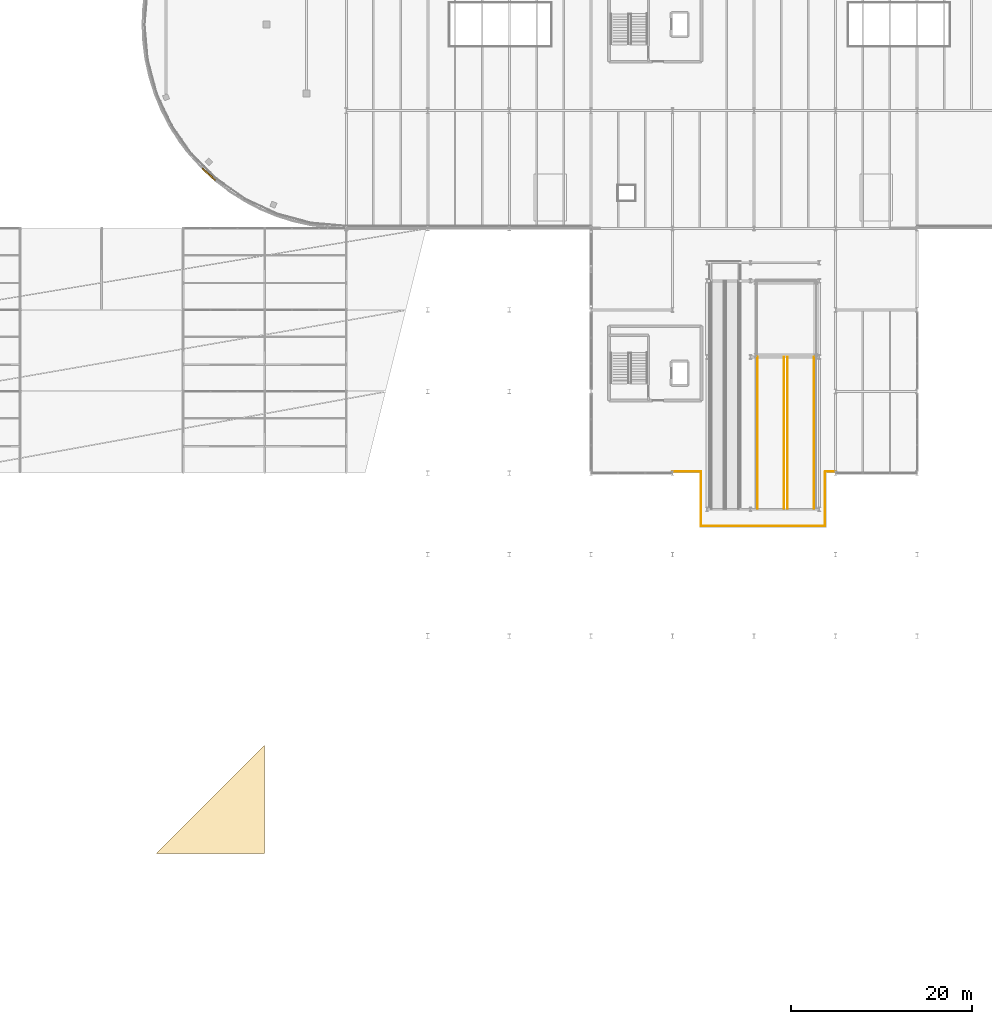
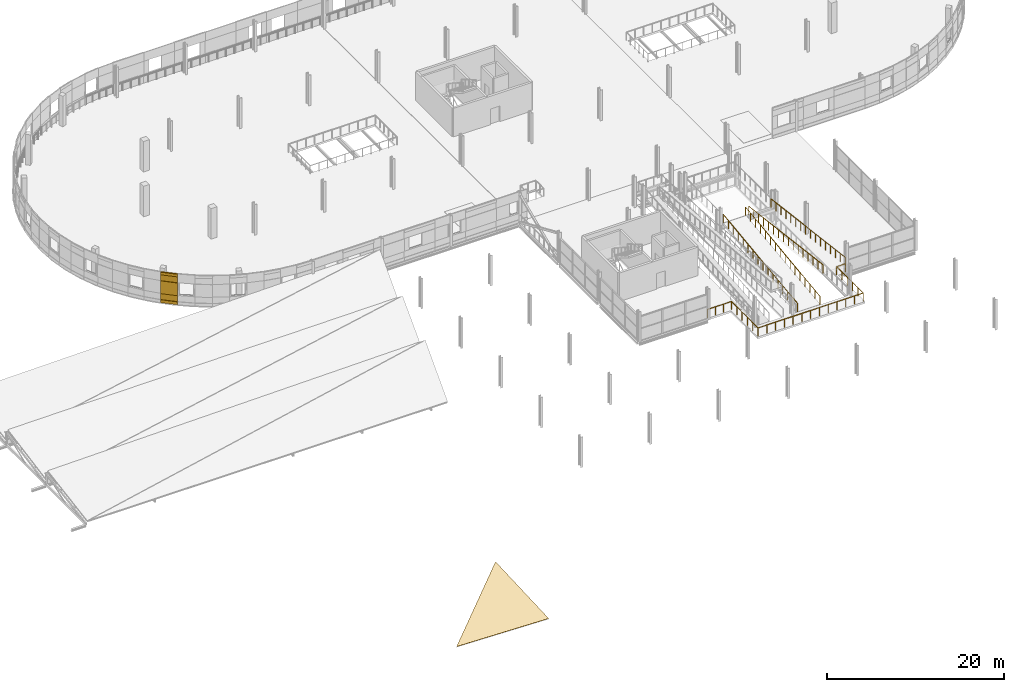
# One storey, part 90 of 103: 6 coverings, 5 railings.
"""IFC4 building model written with IfcOpenShell, lengths in metres."""

from ifc_helpers import new_model, si_unit, direction, frame, origin, origin_2d, place, context, subcontext, project, spatial, polyline, rectangle, circle, outline, extrude, material, layer, layer_set, type_object, element, save


model = new_model("IFC4")

# Units and contexts
model_context = context("Model", 3, precision=1e-05, world=origin(), true_north=direction((0.0, 1.0)))
body_context = subcontext(model_context, "Body", "Model", "MODEL_VIEW")
ifc_project = project(units=[si_unit("LENGTHUNIT", "METRE"), si_unit("AREAUNIT", "SQUARE_METRE"), si_unit("VOLUMEUNIT", "CUBIC_METRE"), si_unit("PLANEANGLEUNIT", "RADIAN"), si_unit("MASSUNIT", "GRAM", prefix="KILO")], contexts=[model_context])

# Site, building, storey
site_placement = place(None, origin())
site = spatial("IfcSite", under=ifc_project, at=site_placement, CompositionType="ELEMENT")
building_placement = place(site_placement, origin())
building = spatial("IfcBuilding", under=site, at=building_placement, Name="Deido Ridge Mobility Hub", CompositionType="ELEMENT")
storey_placement = place(building_placement, frame((0.0, 0.0, 12.60009765625)))
storey = spatial("IfcBuildingStorey", under=building, at=storey_placement, Name="L03", CompositionType="ELEMENT", Elevation=12.60009765625)

# Coverings
ifc_material_1 = material(Name="Fired clay brick masonry", Category="masonry")
ifc_layer_1 = layer(ifc_material_1, 0.114990234375, Name="Fired clay brick masonry")
ifc_layer_set_1 = layer_set([ifc_layer_1], Name="Fired clay brick masonry")
covering_type_1 = type_object("IfcCoveringType", Name="COV-BRK-SCREEN-115", PredefinedType="CLADDING", material=ifc_layer_set_1)
covering_1_placement = place(storey_placement, frame((29.84912109375, 86.9658203125, 0.0), z_axis=(0.0, 0.0, 1.0), x_axis=(0.737289127971, -0.675577339596, 0.0)))
element("IfcCovering", 1, at=covering_1_placement, inside=storey, type_object=covering_type_1, Name="Open brickwork spandrel course BKS1 (L03)", PredefinedType="CLADDING", context=body_context, shape_type="SweptSolid", body=[
    extrude(rectangle(XDim=1.9619140625, YDim=0.125, at=origin_2d()), origin(), (0.0, 0.0, 1.0), 1.25),
])
covering_2_placement = place(storey_placement, frame((29.83056640625, 86.9453125, 0.0), z_axis=(0.0, 0.0, 1.0), x_axis=(0.737289127971, -0.675577339596, 0.0)))
element("IfcCovering", 2, at=covering_2_placement, inside=storey, type_object=covering_type_1, Name="Raised brick relief belt BKS1 (L03)", PredefinedType="CLADDING", context=body_context, shape_type="SweptSolid", body=[
    extrude(rectangle(XDim=1.9619140625, YDim=0.179931640625, at=origin_2d()), origin(), (0.0, 0.0, 1.0), 0.39990234375),
])
covering_3_placement = place(storey_placement, frame((29.84912109375, 86.9658203125, 3.0), z_axis=(0.0, 0.0, 1.0), x_axis=(0.737289127971, -0.675577339596, 0.0)))
element("IfcCovering", 3, at=covering_3_placement, inside=storey, type_object=covering_type_1, Name="Open brickwork lintel course BKS1 (L03)", PredefinedType="CLADDING", context=body_context, shape_type="SweptSolid", body=[
    extrude(rectangle(XDim=1.9619140625, YDim=0.125, at=origin_2d()), origin(), (0.0, 0.0, 1.0), 1.199951171875),
])
covering_4_placement = place(storey_placement, frame((29.83056640625, 86.9453125, 3.83984375), z_axis=(0.0, 0.0, 1.0), x_axis=(0.737289127971, -0.675577339596, 0.0)))
element("IfcCovering", 4, at=covering_4_placement, inside=storey, type_object=covering_type_1, Name="Raised brick relief cornice BKS1 (L03)", PredefinedType="CLADDING", context=body_context, shape_type="SweptSolid", body=[
    extrude(rectangle(XDim=1.9619140625, YDim=0.179931640625, at=origin_2d()), origin(), (0.0, 0.0, 1.0), 0.360107421875),
])
covering_5_placement = place(storey_placement, frame((29.83056640625, 86.9453125, 1.25), z_axis=(0.0, 0.0, 1.0), x_axis=(0.737289127971, -0.675577339596, 0.0)))
element("IfcCovering", 5, at=covering_5_placement, inside=storey, type_object=covering_type_1, Name="Curved raised brickwork pier BKS1 (L03)", PredefinedType="CLADDING", context=body_context, shape_type="SweptSolid", body=[
    extrude(rectangle(XDim=1.9619140625, YDim=0.179931640625, at=origin_2d()), origin(), (0.0, 0.0, 1.0), 1.75),
])
ifc_material_2 = material(Name="PTFE coated glass-fibre architectural membrane", Category="glass")
ifc_layer_2 = layer(ifc_material_2, 0.02490234375, Name="PTFE coated glass-fibre architectural membrane")
ifc_layer_set_2 = layer_set([ifc_layer_2], Name="PTFE coated glass-fibre architectural membrane")
covering_type_2 = type_object("IfcCoveringType", Name="COV-ROOFING-PTFE", PredefinedType="ROOFING", material=ifc_layer_set_2)
covering_6_placement = place(storey_placement, frame((24.0, 12.0, 0.203125), z_axis=(0.027163155182, -0.045468318098, 0.998596412496), x_axis=(0.999630248872, 0.0, -0.027191276911)))
element("IfcCovering", 6, at=covering_6_placement, inside=storey, type_object=covering_type_2, Name="PTFE outer architectural membrane 3A", PredefinedType="ROOFING", context=body_context, shape_type="SweptSolid", body=[
    extrude(outline(polyline([(0.0, 0.0), (12.004438654733361, -1.734723475976807e-18), (11.9895817021632, 12.012423473945075), (0.0, 0.0)])), origin(), (0.0, 0.0, -1.0), 0.02490234375),
])

# Railings
ifc_material_3 = material(Name="Galvanised steel work", Category="steel")
railing_type = type_object("IfcRailingType", Name="RL-GRD-EXT-1150", PredefinedType="GUARDRAIL", material=ifc_material_3)
railing_1_placement = place(storey_placement, frame((81.0, 54.14990234375, 0.0)))
element("IfcRailing", 7, at=railing_1_placement, inside=storey, type_object=railing_type, Name="L03 ramp vestibule guard GR1", PredefinedType="GUARDRAIL", context=body_context, shape_type="SweptSolid", body=[
    extrude(circle(Radius=0.02392578125, at=origin_2d()), frame((0.0, 0.0, 1.1259765625), z_axis=(1.0, 0.0, 0.0), x_axis=(0.0, 1.0, 0.0)), (0.0, 0.0, 1.0), 3.14990234375),
    extrude(circle(Radius=0.02392578125, at=origin_2d()), frame((3.14990234375, 0.0, 1.1259765625), z_axis=(0.0, -1.0, 0.0), x_axis=(1.0, 0.0, 0.0)), (0.0, 0.0, 1.0), 6.0),
    extrude(circle(Radius=0.02392578125, at=origin_2d()), frame((3.14990234375, -6.0, 1.1259765625), z_axis=(1.0, 0.0, 0.0), x_axis=(0.0, 1.0, 0.0)), (0.0, 0.0, 1.0), 13.7001953125),
    extrude(circle(Radius=0.02392578125, at=origin_2d()), frame((16.85009765625, -6.0, 1.1259765625), z_axis=(0.0, 1.0, 0.0), x_axis=(-1.0, 0.0, 0.0)), (0.0, 0.0, 1.0), 6.0),
    extrude(circle(Radius=0.02392578125, at=origin_2d()), frame((16.85009765625, 0.0, 1.1259765625), z_axis=(1.0, 0.0, 0.0), x_axis=(0.0, 1.0, 0.0)), (0.0, 0.0, 1.0), 1.14990234375),
    extrude(circle(Radius=0.02099609375, at=origin_2d()), origin(), (0.0, 0.0, 1.0), 1.101806640625),
    extrude(circle(Radius=0.02099609375, at=origin_2d()), frame((1.050048828125, 0.0, 0.0)), (0.0, 0.0, 1.0), 1.101806640625),
    extrude(circle(Radius=0.02099609375, at=origin_2d()), frame((2.099853515625, 0.0, 0.0)), (0.0, 0.0, 1.0), 1.101806640625),
    extrude(circle(Radius=0.02099609375, at=origin_2d()), frame((3.14990234375, 0.0, 0.0)), (0.0, 0.0, 1.0), 1.101806640625),
    extrude(circle(Radius=0.02099609375, at=origin_2d()), frame((3.14990234375, -1.199951171875, 0.0)), (0.0, 0.0, 1.0), 1.101806640625),
    extrude(circle(Radius=0.02099609375, at=origin_2d()), frame((3.14990234375, -2.39990234375, 0.0)), (0.0, 0.0, 1.0), 1.101806640625),
    extrude(circle(Radius=0.02099609375, at=origin_2d()), frame((3.14990234375, -3.60009765625, 0.0)), (0.0, 0.0, 1.0), 1.101806640625),
    extrude(circle(Radius=0.02099609375, at=origin_2d()), frame((3.14990234375, -4.800048828125, 0.0)), (0.0, 0.0, 1.0), 1.101806640625),
    extrude(circle(Radius=0.02099609375, at=origin_2d()), frame((3.14990234375, -6.0, 0.0)), (0.0, 0.0, 1.0), 1.101806640625),
    extrude(circle(Radius=0.02099609375, at=origin_2d()), frame((4.29150390625, -6.0, 0.0)), (0.0, 0.0, 1.0), 1.101806640625),
    extrude(circle(Radius=0.02099609375, at=origin_2d()), frame((5.433349609375, -6.0, 0.0)), (0.0, 0.0, 1.0), 1.101806640625),
    extrude(circle(Radius=0.02099609375, at=origin_2d()), frame((6.574951171875, -6.0, 0.0)), (0.0, 0.0, 1.0), 1.101806640625),
    extrude(circle(Radius=0.02099609375, at=origin_2d()), frame((7.716552734375, -6.0, 0.0)), (0.0, 0.0, 1.0), 1.101806640625),
    extrude(circle(Radius=0.02099609375, at=origin_2d()), frame((8.8583984375, -6.0, 0.0)), (0.0, 0.0, 1.0), 1.101806640625),
    extrude(circle(Radius=0.02099609375, at=origin_2d()), frame((10.0, -6.0, 0.0)), (0.0, 0.0, 1.0), 1.101806640625),
    extrude(circle(Radius=0.02099609375, at=origin_2d()), frame((11.1416015625, -6.0, 0.0)), (0.0, 0.0, 1.0), 1.101806640625),
    extrude(circle(Radius=0.02099609375, at=origin_2d()), frame((12.283447265625, -6.0, 0.0)), (0.0, 0.0, 1.0), 1.101806640625),
    extrude(circle(Radius=0.02099609375, at=origin_2d()), frame((13.425048828125, -6.0, 0.0)), (0.0, 0.0, 1.0), 1.101806640625),
    extrude(circle(Radius=0.02099609375, at=origin_2d()), frame((14.566650390625, -6.0, 0.0)), (0.0, 0.0, 1.0), 1.101806640625),
    extrude(circle(Radius=0.02099609375, at=origin_2d()), frame((15.70849609375, -6.0, 0.0)), (0.0, 0.0, 1.0), 1.101806640625),
    extrude(circle(Radius=0.02099609375, at=origin_2d()), frame((16.85009765625, -6.0, 0.0)), (0.0, 0.0, 1.0), 1.101806640625),
    extrude(circle(Radius=0.02099609375, at=origin_2d()), frame((16.85009765625, -4.800048828125, 0.0)), (0.0, 0.0, 1.0), 1.101806640625),
    extrude(circle(Radius=0.02099609375, at=origin_2d()), frame((16.85009765625, -3.60009765625, 0.0)), (0.0, 0.0, 1.0), 1.101806640625),
    extrude(circle(Radius=0.02099609375, at=origin_2d()), frame((16.85009765625, -2.39990234375, 0.0)), (0.0, 0.0, 1.0), 1.101806640625),
    extrude(circle(Radius=0.02099609375, at=origin_2d()), frame((16.85009765625, -1.199951171875, 0.0)), (0.0, 0.0, 1.0), 1.101806640625),
    extrude(circle(Radius=0.02099609375, at=origin_2d()), frame((16.85009765625, 0.0, 0.0)), (0.0, 0.0, 1.0), 1.101806640625),
    extrude(circle(Radius=0.02099609375, at=origin_2d()), frame((18.0, 0.0, 0.0)), (0.0, 0.0, 1.0), 1.101806640625),
])
railing_2_placement = place(storey_placement, frame((90.39990234375, 50.050048828125, 0.0)))
element("IfcRailing", 8, at=railing_2_placement, inside=storey, type_object=railing_type, Name="Vehicle ramp F1 guard (L03)", PredefinedType="GUARDRAIL", context=body_context, shape_type="SweptSolid", body=[
    extrude(circle(Radius=0.02392578125, at=origin_2d()), frame((0.0, 0.0, 1.1259765625), z_axis=(0.0, 0.992233313297, 0.12439072306), x_axis=(-1.0, 0.0, 0.0)), (0.0, 0.0, 1.0), 16.881103515625),
    extrude(circle(Radius=0.02099609375, at=origin_2d()), origin(), (0.0, 0.0, 1.0), 1.101806640625),
    extrude(circle(Radius=0.02099609375, at=origin_2d()), frame((0.0, 1.11669921875, 0.139892578125)), (0.0, 0.0, 1.0), 1.101806640625),
    extrude(circle(Radius=0.02099609375, at=origin_2d()), frame((0.0, 2.2333984375, 0.280029296875)), (0.0, 0.0, 1.0), 1.101806640625),
    extrude(circle(Radius=0.02099609375, at=origin_2d()), frame((0.0, 3.35009765625, 0.419921875)), (0.0, 0.0, 1.0), 1.101806640625),
    extrude(circle(Radius=0.02099609375, at=origin_2d()), frame((0.0, 4.466552734375, 0.56005859375)), (0.0, 0.0, 1.0), 1.101806640625),
    extrude(circle(Radius=0.02099609375, at=origin_2d()), frame((0.0, 5.583251953125, 0.699951171875)), (0.0, 0.0, 1.0), 1.101806640625),
    extrude(circle(Radius=0.02099609375, at=origin_2d()), frame((0.0, 6.699951171875, 0.83984375)), (0.0, 0.0, 1.0), 1.101806640625),
    extrude(circle(Radius=0.02099609375, at=origin_2d()), frame((0.0, 7.816650390625, 0.97998046875)), (0.0, 0.0, 1.0), 1.101806640625),
    extrude(circle(Radius=0.02099609375, at=origin_2d()), frame((0.0, 8.933349609375, 1.119873046875)), (0.0, 0.0, 1.0), 1.101806640625),
    extrude(circle(Radius=0.02099609375, at=origin_2d()), frame((0.0, 10.050048828125, 1.260009765625)), (0.0, 0.0, 1.0), 1.101806640625),
    extrude(circle(Radius=0.02099609375, at=origin_2d()), frame((0.0, 11.166748046875, 1.39990234375)), (0.0, 0.0, 1.0), 1.101806640625),
    extrude(circle(Radius=0.02099609375, at=origin_2d()), frame((0.0, 12.283447265625, 1.539794921875)), (0.0, 0.0, 1.0), 1.101806640625),
    extrude(circle(Radius=0.02099609375, at=origin_2d()), frame((0.0, 13.39990234375, 1.679931640625)), (0.0, 0.0, 1.0), 1.101806640625),
    extrude(circle(Radius=0.02099609375, at=origin_2d()), frame((0.0, 14.5166015625, 1.81982421875)), (0.0, 0.0, 1.0), 1.101806640625),
    extrude(circle(Radius=0.02099609375, at=origin_2d()), frame((0.0, 15.63330078125, 1.9599609375)), (0.0, 0.0, 1.0), 1.101806640625),
    extrude(circle(Radius=0.02099609375, at=origin_2d()), frame((0.0, 16.75, 2.099853515625)), (0.0, 0.0, 1.0), 1.101806640625),
])
railing_3_placement = place(storey_placement, frame((93.300048828125, 50.050048828125, 0.0)))
element("IfcRailing", 9, at=railing_3_placement, inside=storey, type_object=railing_type, Name="Vehicle ramp F1 guard (L03)", PredefinedType="GUARDRAIL", context=body_context, shape_type="SweptSolid", body=[
    extrude(circle(Radius=0.02392578125, at=origin_2d()), frame((0.0, 0.0, 1.1259765625), z_axis=(0.0, 0.992233313297, 0.12439072306), x_axis=(-1.0, 0.0, 0.0)), (0.0, 0.0, 1.0), 16.881103515625),
    extrude(circle(Radius=0.02099609375, at=origin_2d()), origin(), (0.0, 0.0, 1.0), 1.101806640625),
    extrude(circle(Radius=0.02099609375, at=origin_2d()), frame((0.0, 1.11669921875, 0.139892578125)), (0.0, 0.0, 1.0), 1.101806640625),
    extrude(circle(Radius=0.02099609375, at=origin_2d()), frame((0.0, 2.2333984375, 0.280029296875)), (0.0, 0.0, 1.0), 1.101806640625),
    extrude(circle(Radius=0.02099609375, at=origin_2d()), frame((0.0, 3.35009765625, 0.419921875)), (0.0, 0.0, 1.0), 1.101806640625),
    extrude(circle(Radius=0.02099609375, at=origin_2d()), frame((0.0, 4.466552734375, 0.56005859375)), (0.0, 0.0, 1.0), 1.101806640625),
    extrude(circle(Radius=0.02099609375, at=origin_2d()), frame((0.0, 5.583251953125, 0.699951171875)), (0.0, 0.0, 1.0), 1.101806640625),
    extrude(circle(Radius=0.02099609375, at=origin_2d()), frame((0.0, 6.699951171875, 0.83984375)), (0.0, 0.0, 1.0), 1.101806640625),
    extrude(circle(Radius=0.02099609375, at=origin_2d()), frame((0.0, 7.816650390625, 0.97998046875)), (0.0, 0.0, 1.0), 1.101806640625),
    extrude(circle(Radius=0.02099609375, at=origin_2d()), frame((0.0, 8.933349609375, 1.119873046875)), (0.0, 0.0, 1.0), 1.101806640625),
    extrude(circle(Radius=0.02099609375, at=origin_2d()), frame((0.0, 10.050048828125, 1.260009765625)), (0.0, 0.0, 1.0), 1.101806640625),
    extrude(circle(Radius=0.02099609375, at=origin_2d()), frame((0.0, 11.166748046875, 1.39990234375)), (0.0, 0.0, 1.0), 1.101806640625),
    extrude(circle(Radius=0.02099609375, at=origin_2d()), frame((0.0, 12.283447265625, 1.539794921875)), (0.0, 0.0, 1.0), 1.101806640625),
    extrude(circle(Radius=0.02099609375, at=origin_2d()), frame((0.0, 13.39990234375, 1.679931640625)), (0.0, 0.0, 1.0), 1.101806640625),
    extrude(circle(Radius=0.02099609375, at=origin_2d()), frame((0.0, 14.5166015625, 1.81982421875)), (0.0, 0.0, 1.0), 1.101806640625),
    extrude(circle(Radius=0.02099609375, at=origin_2d()), frame((0.0, 15.63330078125, 1.9599609375)), (0.0, 0.0, 1.0), 1.101806640625),
    extrude(circle(Radius=0.02099609375, at=origin_2d()), frame((0.0, 16.75, 2.099853515625)), (0.0, 0.0, 1.0), 1.101806640625),
])
railing_4_placement = place(storey_placement, frame((93.699951171875, 66.800048828125, 2.099853515625)))
element("IfcRailing", 10, at=railing_4_placement, inside=storey, type_object=railing_type, Name="Vehicle ramp F2 guard (L03)", PredefinedType="GUARDRAIL", context=body_context, shape_type="SweptSolid", body=[
    extrude(circle(Radius=0.02392578125, at=origin_2d()), frame((0.0, 0.0, 1.1259765625), z_axis=(0.0, -0.992231528187, 0.1244049616), x_axis=(1.0, 0.0, 0.0)), (0.0, 0.0, 1.0), 16.881103515625),
    extrude(circle(Radius=0.02099609375, at=origin_2d()), origin(), (0.0, 0.0, 1.0), 1.101806640625),
    extrude(circle(Radius=0.02099609375, at=origin_2d()), frame((0.0, -1.11669921875, 0.139892578125)), (0.0, 0.0, 1.0), 1.101806640625),
    extrude(circle(Radius=0.02099609375, at=origin_2d()), frame((0.0, -2.2333984375, 0.280029296875)), (0.0, 0.0, 1.0), 1.101806640625),
    extrude(circle(Radius=0.02099609375, at=origin_2d()), frame((0.0, -3.35009765625, 0.419921875)), (0.0, 0.0, 1.0), 1.101806640625),
    extrude(circle(Radius=0.02099609375, at=origin_2d()), frame((0.0, -4.466552734375, 0.56005859375)), (0.0, 0.0, 1.0), 1.101806640625),
    extrude(circle(Radius=0.02099609375, at=origin_2d()), frame((0.0, -5.583251953125, 0.699951171875)), (0.0, 0.0, 1.0), 1.101806640625),
    extrude(circle(Radius=0.02099609375, at=origin_2d()), frame((0.0, -6.699951171875, 0.840087890625)), (0.0, 0.0, 1.0), 1.101806640625),
    extrude(circle(Radius=0.02099609375, at=origin_2d()), frame((0.0, -7.816650390625, 0.97998046875)), (0.0, 0.0, 1.0), 1.101806640625),
    extrude(circle(Radius=0.02099609375, at=origin_2d()), frame((0.0, -8.933349609375, 1.1201171875)), (0.0, 0.0, 1.0), 1.101806640625),
    extrude(circle(Radius=0.02099609375, at=origin_2d()), frame((0.0, -10.050048828125, 1.260009765625)), (0.0, 0.0, 1.0), 1.101806640625),
    extrude(circle(Radius=0.02099609375, at=origin_2d()), frame((0.0, -11.166748046875, 1.400146484375)), (0.0, 0.0, 1.0), 1.101806640625),
    extrude(circle(Radius=0.02099609375, at=origin_2d()), frame((0.0, -12.283447265625, 1.5400390625)), (0.0, 0.0, 1.0), 1.101806640625),
    extrude(circle(Radius=0.02099609375, at=origin_2d()), frame((0.0, -13.39990234375, 1.68017578125)), (0.0, 0.0, 1.0), 1.101806640625),
    extrude(circle(Radius=0.02099609375, at=origin_2d()), frame((0.0, -14.5166015625, 1.820068359375)), (0.0, 0.0, 1.0), 1.101806640625),
    extrude(circle(Radius=0.02099609375, at=origin_2d()), frame((0.0, -15.63330078125, 1.960205078125)), (0.0, 0.0, 1.0), 1.101806640625),
    extrude(circle(Radius=0.02099609375, at=origin_2d()), frame((0.0, -16.75, 2.10009765625)), (0.0, 0.0, 1.0), 1.101806640625),
])
railing_5_placement = place(storey_placement, frame((96.60009765625, 66.800048828125, 2.099853515625)))
element("IfcRailing", 11, at=railing_5_placement, inside=storey, type_object=railing_type, Name="Vehicle ramp F2 guard (L03)", PredefinedType="GUARDRAIL", context=body_context, shape_type="SweptSolid", body=[
    extrude(circle(Radius=0.02392578125, at=origin_2d()), frame((0.0, 0.0, 1.1259765625), z_axis=(0.0, -0.992231528187, 0.1244049616), x_axis=(1.0, 0.0, 0.0)), (0.0, 0.0, 1.0), 16.881103515625),
    extrude(circle(Radius=0.02099609375, at=origin_2d()), origin(), (0.0, 0.0, 1.0), 1.101806640625),
    extrude(circle(Radius=0.02099609375, at=origin_2d()), frame((0.0, -1.11669921875, 0.139892578125)), (0.0, 0.0, 1.0), 1.101806640625),
    extrude(circle(Radius=0.02099609375, at=origin_2d()), frame((0.0, -2.2333984375, 0.280029296875)), (0.0, 0.0, 1.0), 1.101806640625),
    extrude(circle(Radius=0.02099609375, at=origin_2d()), frame((0.0, -3.35009765625, 0.419921875)), (0.0, 0.0, 1.0), 1.101806640625),
    extrude(circle(Radius=0.02099609375, at=origin_2d()), frame((0.0, -4.466552734375, 0.56005859375)), (0.0, 0.0, 1.0), 1.101806640625),
    extrude(circle(Radius=0.02099609375, at=origin_2d()), frame((0.0, -5.583251953125, 0.699951171875)), (0.0, 0.0, 1.0), 1.101806640625),
    extrude(circle(Radius=0.02099609375, at=origin_2d()), frame((0.0, -6.699951171875, 0.840087890625)), (0.0, 0.0, 1.0), 1.101806640625),
    extrude(circle(Radius=0.02099609375, at=origin_2d()), frame((0.0, -7.816650390625, 0.97998046875)), (0.0, 0.0, 1.0), 1.101806640625),
    extrude(circle(Radius=0.02099609375, at=origin_2d()), frame((0.0, -8.933349609375, 1.1201171875)), (0.0, 0.0, 1.0), 1.101806640625),
    extrude(circle(Radius=0.02099609375, at=origin_2d()), frame((0.0, -10.050048828125, 1.260009765625)), (0.0, 0.0, 1.0), 1.101806640625),
    extrude(circle(Radius=0.02099609375, at=origin_2d()), frame((0.0, -11.166748046875, 1.400146484375)), (0.0, 0.0, 1.0), 1.101806640625),
    extrude(circle(Radius=0.02099609375, at=origin_2d()), frame((0.0, -12.283447265625, 1.5400390625)), (0.0, 0.0, 1.0), 1.101806640625),
    extrude(circle(Radius=0.02099609375, at=origin_2d()), frame((0.0, -13.39990234375, 1.68017578125)), (0.0, 0.0, 1.0), 1.101806640625),
    extrude(circle(Radius=0.02099609375, at=origin_2d()), frame((0.0, -14.5166015625, 1.820068359375)), (0.0, 0.0, 1.0), 1.101806640625),
    extrude(circle(Radius=0.02099609375, at=origin_2d()), frame((0.0, -15.63330078125, 1.960205078125)), (0.0, 0.0, 1.0), 1.101806640625),
    extrude(circle(Radius=0.02099609375, at=origin_2d()), frame((0.0, -16.75, 2.10009765625)), (0.0, 0.0, 1.0), 1.101806640625),
])

save(model, "model.ifc")
